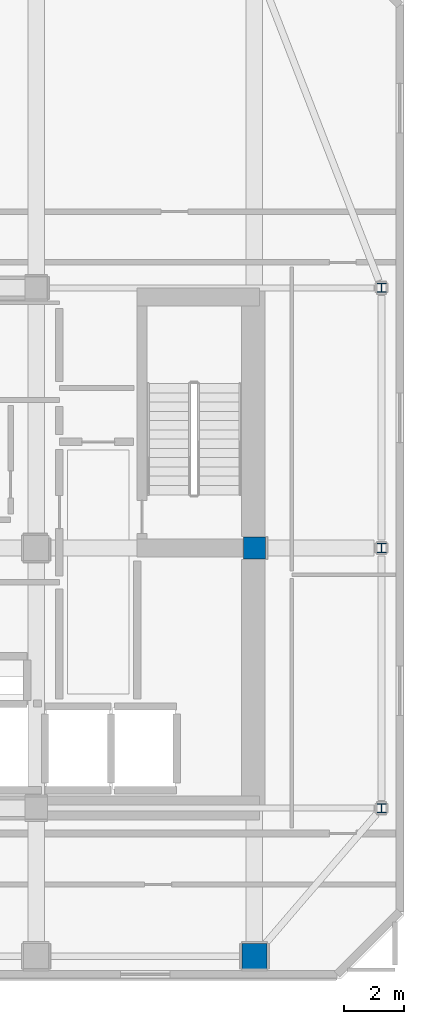
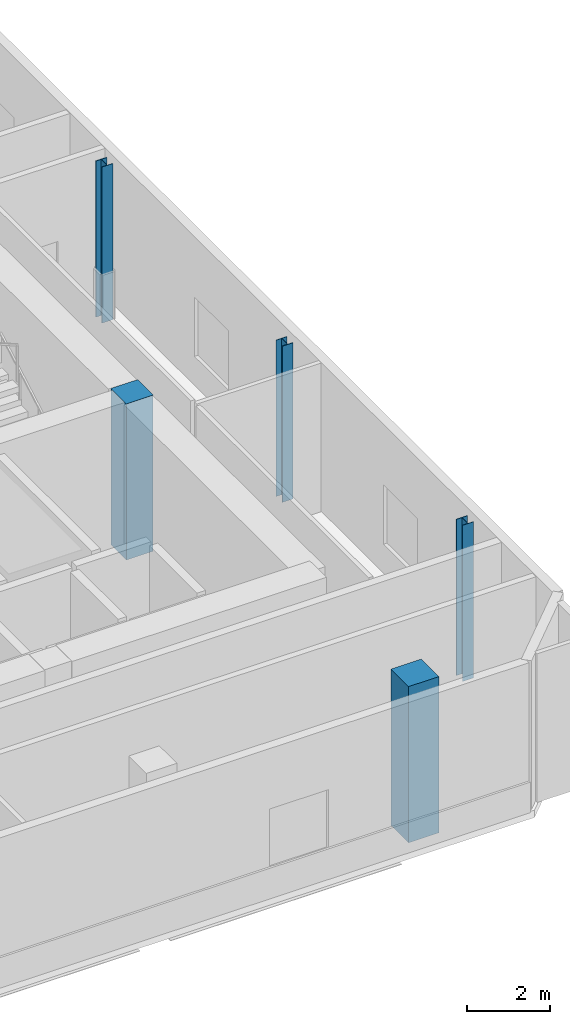
# One storey, part 2 of 10: 5 columns.
"""IFC4 building model written with IfcOpenShell, lengths in metres."""

from ifc_helpers import new_model, si_unit, direction, frame, origin, origin_2d, place, context, subcontext, project, spatial, rectangle, i_section, extrude, material, material_profile, profile_set, type_object, element, save


model = new_model("IFC4")

# Units and contexts
model_context = context("Model", 3, precision=1e-05, world=origin(), true_north=direction((0.0, 1.0)))
body_context = subcontext(model_context, "Body", "Model", "MODEL_VIEW")
ifc_project = project(units=[si_unit("LENGTHUNIT", "METRE"), si_unit("AREAUNIT", "SQUARE_METRE"), si_unit("VOLUMEUNIT", "CUBIC_METRE"), si_unit("PLANEANGLEUNIT", "RADIAN"), si_unit("MASSUNIT", "GRAM", prefix="KILO")], contexts=[model_context])

# Site, building, storey
site_placement = place(None, origin())
site = spatial("IfcSite", under=ifc_project, at=site_placement, CompositionType="ELEMENT")
building_placement = place(site_placement, origin())
building = spatial("IfcBuilding", under=site, at=building_placement, Name="Solanera Arch Residences", CompositionType="ELEMENT")
storey_placement = place(building_placement, frame((0.0, 0.0, 268.8798828125)))
storey = spatial("IfcBuildingStorey", under=building, at=storey_placement, Name="L78", CompositionType="ELEMENT", Elevation=268.8798828125)

# Columns
ifc_material_1 = material(Name="Concrete C40/50 (f'c = 45 MPa)", Category="concrete")
ifc_material_profile_1 = material_profile(ifc_material_1, rectangle(XDim=0.75, YDim=0.75, at=origin_2d()))
ifc_profile_set_1 = profile_set([ifc_material_profile_1], Name="Concrete C40/50 (f'c = 45 MPa)")
column_type_1 = type_object("IfcColumnType", Name="Structural Column RC-COL-750X750", PredefinedType="COLUMN", material=ifc_profile_set_1)
column_1_placement = place(storey_placement, frame((36.5, 30.699951171875, 0.0), z_axis=(0.0, 0.0, 1.0), x_axis=(1.0, 0.0, 0.0)))
element("IfcColumn", 1, at=column_1_placement, inside=storey, type_object=column_type_1, Name="COL-L78-CB-EE", PredefinedType="COLUMN", context=body_context, shape_type="SweptSolid", body=[
    extrude(rectangle(XDim=0.75, YDim=0.75, at=origin_2d()), origin(), (0.0, 0.0, 1.0), 4.60009765625),
])
ifc_material_2 = material(Name="Concrete C40/50 (f'c = 45 MPa)", Category="concrete")
ifc_material_profile_2 = material_profile(ifc_material_2, rectangle(XDim=0.85009765625, YDim=0.85009765625, at=origin_2d()))
ifc_profile_set_2 = profile_set([ifc_material_profile_2], Name="Concrete C40/50 (f'c = 45 MPa)")
column_type_2 = type_object("IfcColumnType", Name="Structural Column RC-COL-850X850", PredefinedType="COLUMN", material=ifc_profile_set_2)
column_2_placement = place(storey_placement, frame((36.5, 17.050048828125, 0.0), z_axis=(0.0, 0.0, 1.0), x_axis=(1.0, 0.0, 0.0)))
element("IfcColumn", 2, at=column_2_placement, inside=storey, type_object=column_type_2, Name="COL-L78-TWR-07", PredefinedType="COLUMN", context=body_context, shape_type="SweptSolid", body=[
    extrude(rectangle(XDim=0.85009765625, YDim=0.85009765625, at=origin_2d()), origin(), (0.0, 0.0, 1.0), 4.60009765625),
])
ifc_material_3 = material(Name="Steel S355 (ASTM A992 / A572 Grade 50)", Category="steel")
ifc_material_profile_3 = material_profile(ifc_material_3, i_section(OverallWidth=0.304931640625, OverallDepth=0.30810546875, WebThickness=0.010009765625, FlangeThickness=0.015380859375, at=origin_2d()))
ifc_profile_set_3 = profile_set([ifc_material_profile_3], Name="Steel S355 (ASTM A992 / A572 Grade 50)")
column_type_3 = type_object("IfcColumnType", Name="Structural Column W310X97", PredefinedType="COLUMN", material=ifc_profile_set_3)
for number, where, z_axis, x_axis, name in (
    (3, (40.75, 22.0, 0.0), (0.0, 0.0, 1.0), (1.0, 0.0, 0.0), "COL-L78-TWR-10"),
    (4, (40.75, 30.699951171875, 0.0), (0.0, 0.0, 1.0), (1.0, 0.0, 0.0), "COL-L78-TWR-12"),
    (5, (40.75, 39.39990234375, 0.0), (0.0, 0.0, 1.0), (1.0, 0.0, 0.0), "COL-L78-TWR-14"),
):
    element("IfcColumn", number, at=place(storey_placement, frame(where, z_axis=z_axis, x_axis=x_axis)), inside=storey, type_object=column_type_3, Name=name, PredefinedType="COLUMN", context=body_context, shape_type="SweptSolid", body=[
        extrude(i_section(OverallWidth=0.304931640625, OverallDepth=0.30810546875, WebThickness=0.010009765625, FlangeThickness=0.015380859375, at=origin_2d()), origin(), (0.0, 0.0, 1.0), 4.60009765625),
    ])

save(model, "model.ifc")
